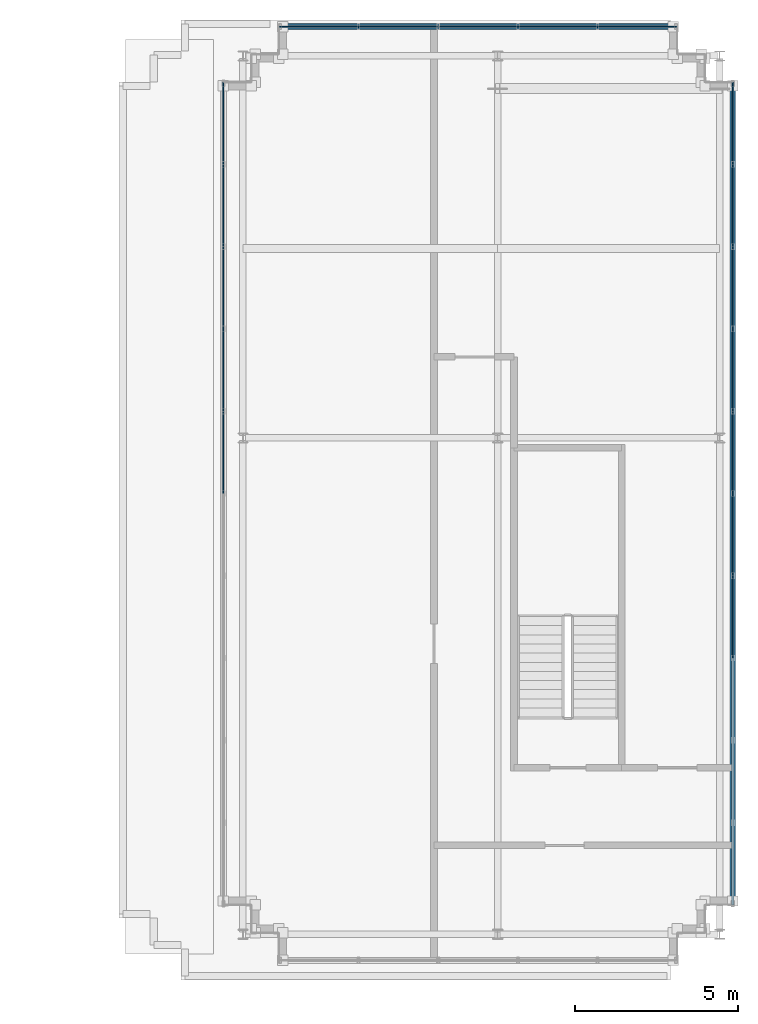
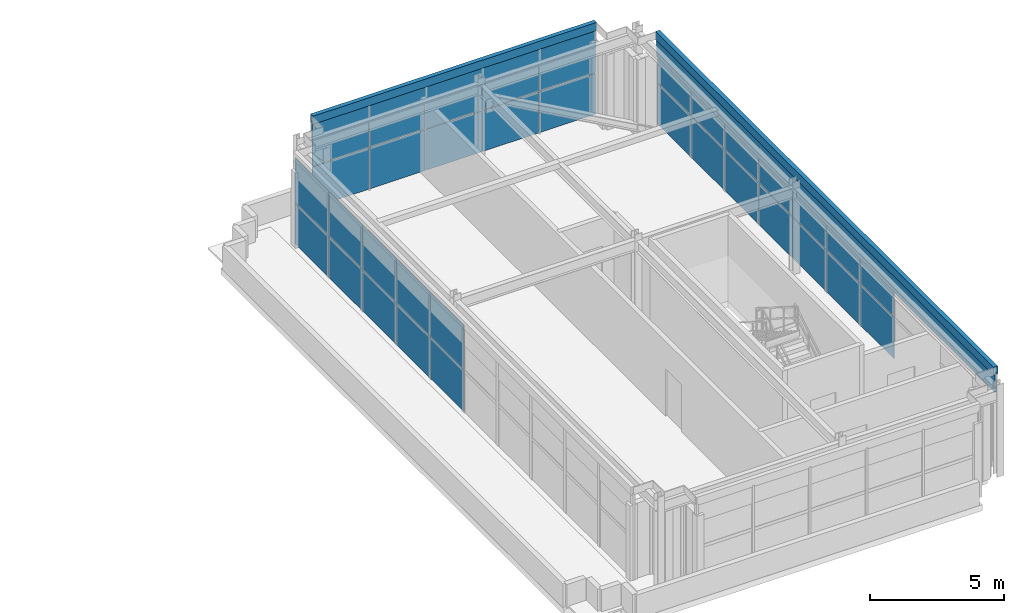
# One storey, part 18 of 25: 38 plates, 3 elements without a shape of their own.
"""IFC4 building model written with IfcOpenShell, lengths in metres."""

from ifc_helpers import new_model, si_unit, direction, frame, origin, origin_2d, place, context, subcontext, project, spatial, rectangle, extrude, source, transform, mapped, material, layer, layer_set, type_object, element, aggregate, save


model = new_model("IFC4")

# Units and contexts
model_context = context("Model", 3, precision=1e-05, world=origin(), true_north=direction((0.0, 1.0)))
body_context = subcontext(model_context, "Body", "Model", "MODEL_VIEW")
ifc_project = project(units=[si_unit("LENGTHUNIT", "METRE"), si_unit("AREAUNIT", "SQUARE_METRE"), si_unit("VOLUMEUNIT", "CUBIC_METRE"), si_unit("PLANEANGLEUNIT", "RADIAN"), si_unit("MASSUNIT", "GRAM", prefix="KILO")], contexts=[model_context])

# Site, building, storey
site_placement = place(None, origin())
site = spatial("IfcSite", under=ifc_project, at=site_placement, CompositionType="ELEMENT")
building_placement = place(site_placement, origin())
building = spatial("IfcBuilding", under=site, at=building_placement, Name="Trelvane Seafront Commons", CompositionType="ELEMENT")
storey_placement = place(building_placement, frame((0.0, 0.0, 316.699951171875)))
storey = spatial("IfcBuildingStorey", under=building, at=storey_placement, Name="L82", CompositionType="ELEMENT", Elevation=316.699951171875)

# Curtain wall, plates
ifc_material_1 = material(Name="Anodised pale-silver aluminium", Category="aluminium")
curtain_wall_type = type_object("IfcCurtainWallType", Name="ARCH-CW6-CROWN", PredefinedType="NOTDEFINED", material=ifc_material_1)
curtain_wall_1_placement = place(storey_placement, origin())
curtain_wall_1 = element("IfcCurtainWall", 1, at=curtain_wall_1_placement, inside=storey, type_object=curtain_wall_type, Name="CW-L82-0156", PredefinedType="NOTDEFINED")
ifc_material_2 = material(Name="Low-E coastal double glazing", Category="glass")
ifc_layer_1 = layer(ifc_material_2, 0.033935546875, Name="ARCH-CW-GLAZ-34")
ifc_layer_set_1 = layer_set([ifc_layer_1], Name="Low-E coastal double glazing")
plate_type_1 = type_object("IfcPlateType", Name="ARCH-CW-GLAZ-34", PredefinedType="CURTAIN_PANEL", material=ifc_layer_set_1)
shared_shape_1 = source(origin(), body_context, "Body", "SweptSolid", [
    extrude(rectangle(XDim=2.49609375, YDim=0.031982421875, at=origin_2d()), origin(), (0.0, 0.0, 1.0), 1.85888671875),
])
plate_1_placement = place(storey_placement, frame((50.39990234375, 32.9599609375, 0.0), z_axis=(0.0, 0.0, 1.0), x_axis=(0.0, 1.0, 0.0)))
plate_1 = element("IfcPlate", 2, at=plate_1_placement, type_object=plate_type_1, Name="CW-L82-0156-P05-1", PredefinedType="CURTAIN_PANEL", context=body_context, shape_type="MappedRepresentation", body=[
    mapped(shared_shape_1, transform((0.0, 0.0, 0.0), x_axis=(1.0, 0.0, 0.0), y_axis=(0.0, 1.0, 0.0), z_axis=(0.0, 0.0, 1.0), scale=1.0)),
])
plate_2_placement = place(storey_placement, frame((50.39990234375, 35.47998046875, 0.0), z_axis=(0.0, 0.0, 1.0), x_axis=(0.0, 1.0, 0.0)))
plate_2 = element("IfcPlate", 3, at=plate_2_placement, type_object=plate_type_1, Name="CW-L82-0156-P06-1", PredefinedType="CURTAIN_PANEL", context=body_context, shape_type="MappedRepresentation", body=[
    mapped(shared_shape_1, transform((0.0, 0.0, 0.0), x_axis=(1.0, 0.0, 0.0), y_axis=(0.0, 1.0, 0.0), z_axis=(0.0, 0.0, 1.0), scale=1.0)),
])
plate_3_placement = place(storey_placement, frame((50.39990234375, 38.0, 0.0), z_axis=(0.0, 0.0, 1.0), x_axis=(0.0, 1.0, 0.0)))
plate_3 = element("IfcPlate", 4, at=plate_3_placement, type_object=plate_type_1, Name="CW-L82-0156-P07-1", PredefinedType="CURTAIN_PANEL", context=body_context, shape_type="MappedRepresentation", body=[
    mapped(shared_shape_1, transform((0.0, 0.0, 0.0), x_axis=(1.0, 0.0, 0.0), y_axis=(0.0, 1.0, 0.0), z_axis=(0.0, 0.0, 1.0), scale=1.0)),
])
plate_4_placement = place(storey_placement, frame((50.39990234375, 40.52001953125, 0.0), z_axis=(0.0, 0.0, 1.0), x_axis=(0.0, 1.0, 0.0)))
plate_4 = element("IfcPlate", 5, at=plate_4_placement, type_object=plate_type_1, Name="CW-L82-0156-P08-1", PredefinedType="CURTAIN_PANEL", context=body_context, shape_type="MappedRepresentation", body=[
    mapped(shared_shape_1, transform((0.0, 0.0, 0.0), x_axis=(1.0, 0.0, 0.0), y_axis=(0.0, 1.0, 0.0), z_axis=(0.0, 0.0, 1.0), scale=1.0)),
])
plate_5_placement = place(storey_placement, frame((50.39990234375, 43.0400390625, 0.0), z_axis=(0.0, 0.0, 1.0), x_axis=(0.0, 1.0, 0.0)))
plate_5 = element("IfcPlate", 6, at=plate_5_placement, type_object=plate_type_1, Name="CW-L82-0156-P09-1", PredefinedType="CURTAIN_PANEL", context=body_context, shape_type="MappedRepresentation", body=[
    mapped(shared_shape_1, transform((0.0, 0.0, 0.0), x_axis=(1.0, 0.0, 0.0), y_axis=(0.0, 1.0, 0.0), z_axis=(0.0, 0.0, 1.0), scale=1.0)),
])

curtain_wall_2_placement = place(storey_placement, origin())
curtain_wall_2 = element("IfcCurtainWall", 7, at=curtain_wall_2_placement, inside=storey, type_object=curtain_wall_type, Name="CW-L82-0158", PredefinedType="NOTDEFINED")
plate_6_placement = place(storey_placement, frame((66.0, 43.0400390625, 0.0), z_axis=(0.0, 0.0, 1.0), x_axis=(0.0, -1.0, 0.0)))
plate_6 = element("IfcPlate", 8, at=plate_6_placement, type_object=plate_type_1, Name="CW-L82-0158-P00-1", PredefinedType="CURTAIN_PANEL", context=body_context, shape_type="MappedRepresentation", body=[
    mapped(shared_shape_1, transform((0.0, 0.0, 0.0), x_axis=(1.0, 0.0, 0.0), y_axis=(0.0, 1.0, 0.0), z_axis=(0.0, 0.0, 1.0), scale=1.0)),
])
plate_7_placement = place(storey_placement, frame((66.0, 40.52001953125, 0.0), z_axis=(0.0, 0.0, 1.0), x_axis=(0.0, -1.0, 0.0)))
plate_7 = element("IfcPlate", 9, at=plate_7_placement, type_object=plate_type_1, Name="CW-L82-0158-P01-1", PredefinedType="CURTAIN_PANEL", context=body_context, shape_type="MappedRepresentation", body=[
    mapped(shared_shape_1, transform((0.0, 0.0, 0.0), x_axis=(1.0, 0.0, 0.0), y_axis=(0.0, 1.0, 0.0), z_axis=(0.0, 0.0, 1.0), scale=1.0)),
])
plate_8_placement = place(storey_placement, frame((66.0, 38.0, 0.0), z_axis=(0.0, 0.0, 1.0), x_axis=(0.0, -1.0, 0.0)))
plate_8 = element("IfcPlate", 10, at=plate_8_placement, type_object=plate_type_1, Name="CW-L82-0158-P02-1", PredefinedType="CURTAIN_PANEL", context=body_context, shape_type="MappedRepresentation", body=[
    mapped(shared_shape_1, transform((0.0, 0.0, 0.0), x_axis=(1.0, 0.0, 0.0), y_axis=(0.0, 1.0, 0.0), z_axis=(0.0, 0.0, 1.0), scale=1.0)),
])
plate_9_placement = place(storey_placement, frame((66.0, 35.47998046875, 0.0), z_axis=(0.0, 0.0, 1.0), x_axis=(0.0, -1.0, 0.0)))
plate_9 = element("IfcPlate", 11, at=plate_9_placement, type_object=plate_type_1, Name="CW-L82-0158-P03-1", PredefinedType="CURTAIN_PANEL", context=body_context, shape_type="MappedRepresentation", body=[
    mapped(shared_shape_1, transform((0.0, 0.0, 0.0), x_axis=(1.0, 0.0, 0.0), y_axis=(0.0, 1.0, 0.0), z_axis=(0.0, 0.0, 1.0), scale=1.0)),
])
plate_10_placement = place(storey_placement, frame((66.0, 32.9599609375, 0.0), z_axis=(0.0, 0.0, 1.0), x_axis=(0.0, -1.0, 0.0)))
plate_10 = element("IfcPlate", 12, at=plate_10_placement, type_object=plate_type_1, Name="CW-L82-0158-P04-1", PredefinedType="CURTAIN_PANEL", context=body_context, shape_type="MappedRepresentation", body=[
    mapped(shared_shape_1, transform((0.0, 0.0, 0.0), x_axis=(1.0, 0.0, 0.0), y_axis=(0.0, 1.0, 0.0), z_axis=(0.0, 0.0, 1.0), scale=1.0)),
])
plate_11_placement = place(storey_placement, frame((66.0, 30.43994140625, 0.0), z_axis=(0.0, 0.0, 1.0), x_axis=(0.0, -1.0, 0.0)))
plate_11 = element("IfcPlate", 13, at=plate_11_placement, type_object=plate_type_1, Name="CW-L82-0158-P05-1", PredefinedType="CURTAIN_PANEL", context=body_context, shape_type="MappedRepresentation", body=[
    mapped(shared_shape_1, transform((0.0, 0.0, 0.0), x_axis=(1.0, 0.0, 0.0), y_axis=(0.0, 1.0, 0.0), z_axis=(0.0, 0.0, 1.0), scale=1.0)),
])
plate_12_placement = place(storey_placement, frame((66.0, 27.919921875, 0.0), z_axis=(0.0, 0.0, 1.0), x_axis=(0.0, -1.0, 0.0)))
plate_12 = element("IfcPlate", 14, at=plate_12_placement, type_object=plate_type_1, Name="CW-L82-0158-P06-1", PredefinedType="CURTAIN_PANEL", context=body_context, shape_type="MappedRepresentation", body=[
    mapped(shared_shape_1, transform((0.0, 0.0, 0.0), x_axis=(1.0, 0.0, 0.0), y_axis=(0.0, 1.0, 0.0), z_axis=(0.0, 0.0, 1.0), scale=1.0)),
])

# Plate
shared_shape_2 = source(origin(), body_context, "Body", "SweptSolid", [
    extrude(rectangle(XDim=2.49609375, YDim=0.031982421875, at=origin_2d()), origin(), (0.0, 0.0, 1.0), 2.014892578125),
])
plate_13_placement = place(storey_placement, frame((50.39990234375, 32.9599609375, 1.89501953125), z_axis=(0.0, 0.0, 1.0), x_axis=(0.0, 1.0, 0.0)))
plate_13 = element("IfcPlate", 15, at=plate_13_placement, type_object=plate_type_1, Name="CW-L82-0156-P05-2", PredefinedType="CURTAIN_PANEL", context=body_context, shape_type="MappedRepresentation", body=[
    mapped(shared_shape_2, transform((0.0, 0.0, 0.0), x_axis=(1.0, 0.0, 0.0), y_axis=(0.0, 1.0, 0.0), z_axis=(0.0, 0.0, 1.0), scale=1.0)),
])

plate_14_placement = place(storey_placement, frame((50.39990234375, 35.47998046875, 1.89501953125), z_axis=(0.0, 0.0, 1.0), x_axis=(0.0, 1.0, 0.0)))
plate_14 = element("IfcPlate", 16, at=plate_14_placement, type_object=plate_type_1, Name="CW-L82-0156-P06-2", PredefinedType="CURTAIN_PANEL", context=body_context, shape_type="MappedRepresentation", body=[
    mapped(shared_shape_2, transform((0.0, 0.0, 0.0), x_axis=(1.0, 0.0, 0.0), y_axis=(0.0, 1.0, 0.0), z_axis=(0.0, 0.0, 1.0), scale=1.0)),
])

plate_15_placement = place(storey_placement, frame((50.39990234375, 38.0, 1.89501953125), z_axis=(0.0, 0.0, 1.0), x_axis=(0.0, 1.0, 0.0)))
plate_15 = element("IfcPlate", 17, at=plate_15_placement, type_object=plate_type_1, Name="CW-L82-0156-P07-2", PredefinedType="CURTAIN_PANEL", context=body_context, shape_type="MappedRepresentation", body=[
    mapped(shared_shape_2, transform((0.0, 0.0, 0.0), x_axis=(1.0, 0.0, 0.0), y_axis=(0.0, 1.0, 0.0), z_axis=(0.0, 0.0, 1.0), scale=1.0)),
])

plate_16_placement = place(storey_placement, frame((50.39990234375, 40.52001953125, 1.89501953125), z_axis=(0.0, 0.0, 1.0), x_axis=(0.0, 1.0, 0.0)))
plate_16 = element("IfcPlate", 18, at=plate_16_placement, type_object=plate_type_1, Name="CW-L82-0156-P08-2", PredefinedType="CURTAIN_PANEL", context=body_context, shape_type="MappedRepresentation", body=[
    mapped(shared_shape_2, transform((0.0, 0.0, 0.0), x_axis=(1.0, 0.0, 0.0), y_axis=(0.0, 1.0, 0.0), z_axis=(0.0, 0.0, 1.0), scale=1.0)),
])

plate_17_placement = place(storey_placement, frame((50.39990234375, 43.0400390625, 1.89501953125), z_axis=(0.0, 0.0, 1.0), x_axis=(0.0, 1.0, 0.0)))
plate_17 = element("IfcPlate", 19, at=plate_17_placement, type_object=plate_type_1, Name="CW-L82-0156-P09-2", PredefinedType="CURTAIN_PANEL", context=body_context, shape_type="MappedRepresentation", body=[
    mapped(shared_shape_2, transform((0.0, 0.0, 0.0), x_axis=(1.0, 0.0, 0.0), y_axis=(0.0, 1.0, 0.0), z_axis=(0.0, 0.0, 1.0), scale=1.0)),
])

aggregate(curtain_wall_1, [plate_1, plate_13, plate_2, plate_14, plate_3, plate_15, plate_4, plate_16, plate_5, plate_17])

plate_18_placement = place(storey_placement, frame((66.0, 43.0400390625, 1.89501953125), z_axis=(0.0, 0.0, 1.0), x_axis=(0.0, -1.0, 0.0)))
plate_18 = element("IfcPlate", 20, at=plate_18_placement, type_object=plate_type_1, Name="CW-L82-0158-P00-2", PredefinedType="CURTAIN_PANEL", context=body_context, shape_type="MappedRepresentation", body=[
    mapped(shared_shape_2, transform((0.0, 0.0, 0.0), x_axis=(1.0, 0.0, 0.0), y_axis=(0.0, 1.0, 0.0), z_axis=(0.0, 0.0, 1.0), scale=1.0)),
])

plate_19_placement = place(storey_placement, frame((66.0, 40.52001953125, 1.89501953125), z_axis=(0.0, 0.0, 1.0), x_axis=(0.0, -1.0, 0.0)))
plate_19 = element("IfcPlate", 21, at=plate_19_placement, type_object=plate_type_1, Name="CW-L82-0158-P01-2", PredefinedType="CURTAIN_PANEL", context=body_context, shape_type="MappedRepresentation", body=[
    mapped(shared_shape_2, transform((0.0, 0.0, 0.0), x_axis=(1.0, 0.0, 0.0), y_axis=(0.0, 1.0, 0.0), z_axis=(0.0, 0.0, 1.0), scale=1.0)),
])

plate_20_placement = place(storey_placement, frame((66.0, 38.0, 1.89501953125), z_axis=(0.0, 0.0, 1.0), x_axis=(0.0, -1.0, 0.0)))
plate_20 = element("IfcPlate", 22, at=plate_20_placement, type_object=plate_type_1, Name="CW-L82-0158-P02-2", PredefinedType="CURTAIN_PANEL", context=body_context, shape_type="MappedRepresentation", body=[
    mapped(shared_shape_2, transform((0.0, 0.0, 0.0), x_axis=(1.0, 0.0, 0.0), y_axis=(0.0, 1.0, 0.0), z_axis=(0.0, 0.0, 1.0), scale=1.0)),
])

plate_21_placement = place(storey_placement, frame((66.0, 35.47998046875, 1.89501953125), z_axis=(0.0, 0.0, 1.0), x_axis=(0.0, -1.0, 0.0)))
plate_21 = element("IfcPlate", 23, at=plate_21_placement, type_object=plate_type_1, Name="CW-L82-0158-P03-2", PredefinedType="CURTAIN_PANEL", context=body_context, shape_type="MappedRepresentation", body=[
    mapped(shared_shape_2, transform((0.0, 0.0, 0.0), x_axis=(1.0, 0.0, 0.0), y_axis=(0.0, 1.0, 0.0), z_axis=(0.0, 0.0, 1.0), scale=1.0)),
])

plate_22_placement = place(storey_placement, frame((66.0, 32.9599609375, 1.89501953125), z_axis=(0.0, 0.0, 1.0), x_axis=(0.0, -1.0, 0.0)))
plate_22 = element("IfcPlate", 24, at=plate_22_placement, type_object=plate_type_1, Name="CW-L82-0158-P04-2", PredefinedType="CURTAIN_PANEL", context=body_context, shape_type="MappedRepresentation", body=[
    mapped(shared_shape_2, transform((0.0, 0.0, 0.0), x_axis=(1.0, 0.0, 0.0), y_axis=(0.0, 1.0, 0.0), z_axis=(0.0, 0.0, 1.0), scale=1.0)),
])

plate_23_placement = place(storey_placement, frame((66.0, 30.43994140625, 1.89501953125), z_axis=(0.0, 0.0, 1.0), x_axis=(0.0, -1.0, 0.0)))
plate_23 = element("IfcPlate", 25, at=plate_23_placement, type_object=plate_type_1, Name="CW-L82-0158-P05-2", PredefinedType="CURTAIN_PANEL", context=body_context, shape_type="MappedRepresentation", body=[
    mapped(shared_shape_2, transform((0.0, 0.0, 0.0), x_axis=(1.0, 0.0, 0.0), y_axis=(0.0, 1.0, 0.0), z_axis=(0.0, 0.0, 1.0), scale=1.0)),
])

plate_24_placement = place(storey_placement, frame((66.0, 27.919921875, 1.89501953125), z_axis=(0.0, 0.0, 1.0), x_axis=(0.0, -1.0, 0.0)))
plate_24 = element("IfcPlate", 26, at=plate_24_placement, type_object=plate_type_1, Name="CW-L82-0158-P06-2", PredefinedType="CURTAIN_PANEL", context=body_context, shape_type="MappedRepresentation", body=[
    mapped(shared_shape_2, transform((0.0, 0.0, 0.0), x_axis=(1.0, 0.0, 0.0), y_axis=(0.0, 1.0, 0.0), z_axis=(0.0, 0.0, 1.0), scale=1.0)),
])

aggregate(curtain_wall_2, [plate_6, plate_18, plate_7, plate_19, plate_8, plate_20, plate_9, plate_21, plate_10, plate_22, plate_11, plate_23, plate_12, plate_24])

# Plates
ifc_layer_2 = layer(ifc_material_1, 0.080078125, Name="ARCH-PLATE-LOUVRE")
ifc_layer_set_2 = layer_set([ifc_layer_2], Name="Anodised pale-silver aluminium")
plate_type_2 = type_object("IfcPlateType", Name="ARCH-PLATE-LOUVRE", PredefinedType="USERDEFINED", material=ifc_layer_set_2)
shared_shape_3 = source(origin(), body_context, "Body", "SweptSolid", [
    extrude(rectangle(XDim=25.199951171875, YDim=0.080078125, at=origin_2d()), origin(), (0.0, 0.0, 1.0), 0.889892578125),
])
plate_25_placement = place(storey_placement, frame((66.0, 31.699951171875, 3.06005859375), z_axis=(0.0, 0.0, 1.0), x_axis=(0.0, -1.0, 0.0)))
element("IfcPlate", 27, at=plate_25_placement, inside=storey, type_object=plate_type_2, Name="LOU-L82-047", ObjectType="LOUVRE", PredefinedType="USERDEFINED", context=body_context, shape_type="MappedRepresentation", body=[
    mapped(shared_shape_3, transform((0.0, 0.0, 0.0), x_axis=(1.0, 0.0, 0.0), y_axis=(0.0, 1.0, 0.0), z_axis=(0.0, 0.0, 1.0), scale=1.0)),
])
ifc_layer_3 = layer(ifc_material_1, 0.179931640625, Name="ARCH-PLATE-AERO")
ifc_layer_set_3 = layer_set([ifc_layer_3], Name="Anodised pale-silver aluminium")
plate_type_3 = type_object("IfcPlateType", Name="ARCH-PLATE-AERO", PredefinedType="SHEET", material=ifc_layer_set_3)
shared_shape_4 = source(origin(), body_context, "Body", "SweptSolid", [
    extrude(rectangle(XDim=25.199951171875, YDim=0.179931640625, at=origin_2d()), origin(), (0.0, 0.0, 1.0), 0.3701171875),
])
plate_26_placement = place(storey_placement, frame((66.0, 31.699951171875, 3.85009765625), z_axis=(0.0, 0.0, 1.0), x_axis=(0.0, -1.0, 0.0)))
element("IfcPlate", 28, at=plate_26_placement, inside=storey, type_object=plate_type_3, Name="AER-L82-00304", PredefinedType="SHEET", context=body_context, shape_type="MappedRepresentation", body=[
    mapped(shared_shape_4, transform((0.0, 0.0, 0.0), x_axis=(1.0, 0.0, 0.0), y_axis=(0.0, 1.0, 0.0), z_axis=(0.0, 0.0, 1.0), scale=1.0)),
])

# Curtain wall, plates
curtain_wall_3_placement = place(storey_placement, origin())
curtain_wall_3 = element("IfcCurtainWall", 29, at=curtain_wall_3_placement, inside=storey, type_object=curtain_wall_type, Name="CW-L82-0157", PredefinedType="NOTDEFINED")
shared_shape_5 = source(origin(), body_context, "Body", "SweptSolid", [
    extrude(rectangle(XDim=2.416015625, YDim=0.031982421875, at=origin_2d()), origin(), (0.0, 0.0, 1.0), 1.85888671875),
])
plate_27_placement = place(storey_placement, frame((53.320068359375, 46.0, 0.0), z_axis=(0.0, 0.0, 1.0), x_axis=(1.0, 0.0, 0.0)))
plate_27 = element("IfcPlate", 30, at=plate_27_placement, type_object=plate_type_1, Name="CW-L82-0157-P00-1", PredefinedType="CURTAIN_PANEL", context=body_context, shape_type="MappedRepresentation", body=[
    mapped(shared_shape_5, transform((0.0, 0.0, 0.0), x_axis=(1.0, 0.0, 0.0), y_axis=(0.0, 1.0, 0.0), z_axis=(0.0, 0.0, 1.0), scale=1.0)),
])
plate_28_placement = place(storey_placement, frame((55.760009765625, 46.0, 0.0), z_axis=(0.0, 0.0, 1.0), x_axis=(1.0, 0.0, 0.0)))
plate_28 = element("IfcPlate", 31, at=plate_28_placement, type_object=plate_type_1, Name="CW-L82-0157-P01-1", PredefinedType="CURTAIN_PANEL", context=body_context, shape_type="MappedRepresentation", body=[
    mapped(shared_shape_5, transform((0.0, 0.0, 0.0), x_axis=(1.0, 0.0, 0.0), y_axis=(0.0, 1.0, 0.0), z_axis=(0.0, 0.0, 1.0), scale=1.0)),
])
plate_29_placement = place(storey_placement, frame((58.199951171875, 46.0, 0.0), z_axis=(0.0, 0.0, 1.0), x_axis=(1.0, 0.0, 0.0)))
plate_29 = element("IfcPlate", 32, at=plate_29_placement, type_object=plate_type_1, Name="CW-L82-0157-P02-1", PredefinedType="CURTAIN_PANEL", context=body_context, shape_type="MappedRepresentation", body=[
    mapped(shared_shape_5, transform((0.0, 0.0, 0.0), x_axis=(1.0, 0.0, 0.0), y_axis=(0.0, 1.0, 0.0), z_axis=(0.0, 0.0, 1.0), scale=1.0)),
])
plate_30_placement = place(storey_placement, frame((60.639892578125, 46.0, 0.0), z_axis=(0.0, 0.0, 1.0), x_axis=(1.0, 0.0, 0.0)))
plate_30 = element("IfcPlate", 33, at=plate_30_placement, type_object=plate_type_1, Name="CW-L82-0157-P03-1", PredefinedType="CURTAIN_PANEL", context=body_context, shape_type="MappedRepresentation", body=[
    mapped(shared_shape_5, transform((0.0, 0.0, 0.0), x_axis=(1.0, 0.0, 0.0), y_axis=(0.0, 1.0, 0.0), z_axis=(0.0, 0.0, 1.0), scale=1.0)),
])
plate_31_placement = place(storey_placement, frame((63.080078125, 46.0, 0.0), z_axis=(0.0, 0.0, 1.0), x_axis=(1.0, 0.0, 0.0)))
plate_31 = element("IfcPlate", 34, at=plate_31_placement, type_object=plate_type_1, Name="CW-L82-0157-P04-1", PredefinedType="CURTAIN_PANEL", context=body_context, shape_type="MappedRepresentation", body=[
    mapped(shared_shape_5, transform((0.0, 0.0, 0.0), x_axis=(1.0, 0.0, 0.0), y_axis=(0.0, 1.0, 0.0), z_axis=(0.0, 0.0, 1.0), scale=1.0)),
])
shared_shape_6 = source(origin(), body_context, "Body", "SweptSolid", [
    extrude(rectangle(XDim=2.416015625, YDim=0.031982421875, at=origin_2d()), origin(), (0.0, 0.0, 1.0), 2.014892578125),
])
plate_32_placement = place(storey_placement, frame((53.320068359375, 46.0, 1.89501953125), z_axis=(0.0, 0.0, 1.0), x_axis=(1.0, 0.0, 0.0)))
plate_32 = element("IfcPlate", 35, at=plate_32_placement, type_object=plate_type_1, Name="CW-L82-0157-P00-2", PredefinedType="CURTAIN_PANEL", context=body_context, shape_type="MappedRepresentation", body=[
    mapped(shared_shape_6, transform((0.0, 0.0, 0.0), x_axis=(1.0, 0.0, 0.0), y_axis=(0.0, 1.0, 0.0), z_axis=(0.0, 0.0, 1.0), scale=1.0)),
])
plate_33_placement = place(storey_placement, frame((55.760009765625, 46.0, 1.89501953125), z_axis=(0.0, 0.0, 1.0), x_axis=(1.0, 0.0, 0.0)))
plate_33 = element("IfcPlate", 36, at=plate_33_placement, type_object=plate_type_1, Name="CW-L82-0157-P01-2", PredefinedType="CURTAIN_PANEL", context=body_context, shape_type="MappedRepresentation", body=[
    mapped(shared_shape_6, transform((0.0, 0.0, 0.0), x_axis=(1.0, 0.0, 0.0), y_axis=(0.0, 1.0, 0.0), z_axis=(0.0, 0.0, 1.0), scale=1.0)),
])
plate_34_placement = place(storey_placement, frame((58.199951171875, 46.0, 1.89501953125), z_axis=(0.0, 0.0, 1.0), x_axis=(1.0, 0.0, 0.0)))
plate_34 = element("IfcPlate", 37, at=plate_34_placement, type_object=plate_type_1, Name="CW-L82-0157-P02-2", PredefinedType="CURTAIN_PANEL", context=body_context, shape_type="MappedRepresentation", body=[
    mapped(shared_shape_6, transform((0.0, 0.0, 0.0), x_axis=(1.0, 0.0, 0.0), y_axis=(0.0, 1.0, 0.0), z_axis=(0.0, 0.0, 1.0), scale=1.0)),
])
plate_35_placement = place(storey_placement, frame((60.639892578125, 46.0, 1.89501953125), z_axis=(0.0, 0.0, 1.0), x_axis=(1.0, 0.0, 0.0)))
plate_35 = element("IfcPlate", 38, at=plate_35_placement, type_object=plate_type_1, Name="CW-L82-0157-P03-2", PredefinedType="CURTAIN_PANEL", context=body_context, shape_type="MappedRepresentation", body=[
    mapped(shared_shape_6, transform((0.0, 0.0, 0.0), x_axis=(1.0, 0.0, 0.0), y_axis=(0.0, 1.0, 0.0), z_axis=(0.0, 0.0, 1.0), scale=1.0)),
])
plate_36_placement = place(storey_placement, frame((63.080078125, 46.0, 1.89501953125), z_axis=(0.0, 0.0, 1.0), x_axis=(1.0, 0.0, 0.0)))
plate_36 = element("IfcPlate", 39, at=plate_36_placement, type_object=plate_type_1, Name="CW-L82-0157-P04-2", PredefinedType="CURTAIN_PANEL", context=body_context, shape_type="MappedRepresentation", body=[
    mapped(shared_shape_6, transform((0.0, 0.0, 0.0), x_axis=(1.0, 0.0, 0.0), y_axis=(0.0, 1.0, 0.0), z_axis=(0.0, 0.0, 1.0), scale=1.0)),
])
aggregate(curtain_wall_3, [plate_27, plate_32, plate_28, plate_33, plate_29, plate_34, plate_30, plate_35, plate_31, plate_36])

# Plates
shared_shape_7 = source(origin(), body_context, "Body", "SweptSolid", [
    extrude(rectangle(XDim=12.199951171875, YDim=0.080078125, at=origin_2d()), origin(), (0.0, 0.0, 1.0), 0.889892578125),
])
plate_37_placement = place(storey_placement, frame((58.199951171875, 46.0, 3.06005859375), z_axis=(0.0, 0.0, 1.0), x_axis=(1.0, 0.0, 0.0)))
element("IfcPlate", 40, at=plate_37_placement, inside=storey, type_object=plate_type_2, Name="LOU-L82-046", ObjectType="LOUVRE", PredefinedType="USERDEFINED", context=body_context, shape_type="MappedRepresentation", body=[
    mapped(shared_shape_7, transform((0.0, 0.0, 0.0), x_axis=(1.0, 0.0, 0.0), y_axis=(0.0, 1.0, 0.0), z_axis=(0.0, 0.0, 1.0), scale=1.0)),
])
shared_shape_8 = source(origin(), body_context, "Body", "SweptSolid", [
    extrude(rectangle(XDim=12.199951171875, YDim=0.179931640625, at=origin_2d()), origin(), (0.0, 0.0, 1.0), 0.3701171875),
])
plate_38_placement = place(storey_placement, frame((58.199951171875, 46.0, 3.85009765625), z_axis=(0.0, 0.0, 1.0), x_axis=(1.0, 0.0, 0.0)))
element("IfcPlate", 41, at=plate_38_placement, inside=storey, type_object=plate_type_3, Name="AER-L82-00303", PredefinedType="SHEET", context=body_context, shape_type="MappedRepresentation", body=[
    mapped(shared_shape_8, transform((0.0, 0.0, 0.0), x_axis=(1.0, 0.0, 0.0), y_axis=(0.0, 1.0, 0.0), z_axis=(0.0, 0.0, 1.0), scale=1.0)),
])

save(model, "model.ifc")
